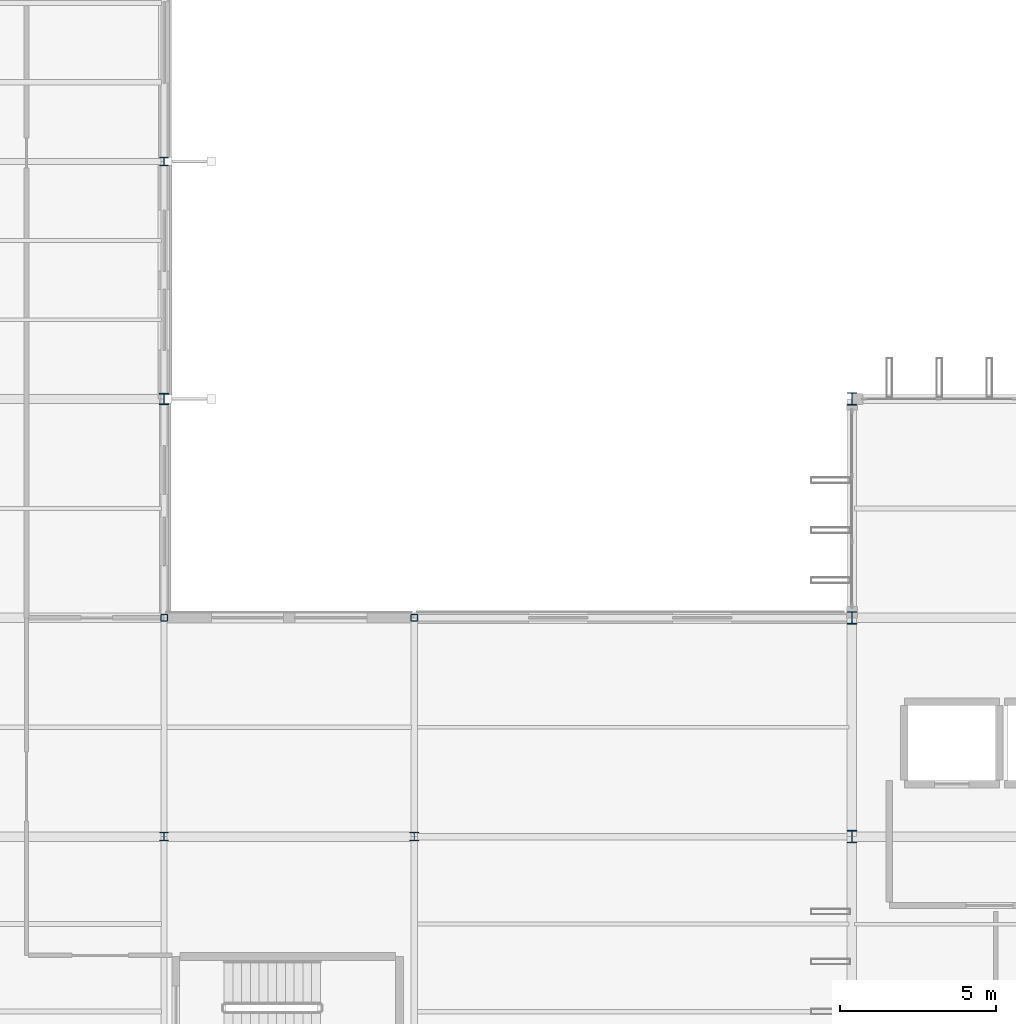
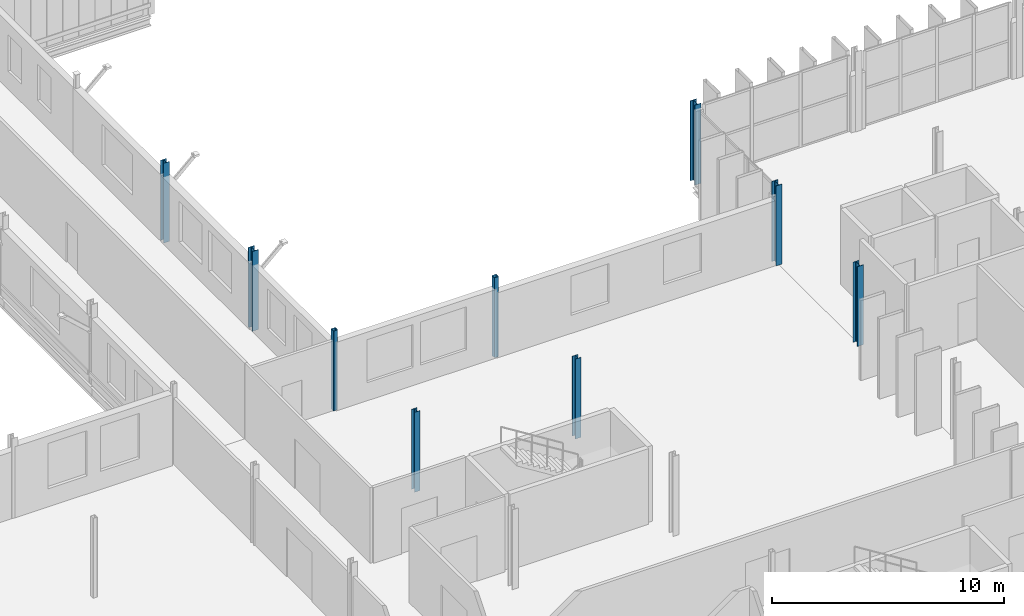
# One storey, part 4 of 101: 9 columns.
"""IFC4 building model written with IfcOpenShell, lengths in metres."""

from ifc_helpers import new_model, si_unit, direction, frame, origin, origin_2d, place, context, subcontext, project, spatial, hollow_rectangle, i_section, extrude, material, material_profile, profile_set, type_object, element, save


model = new_model("IFC4")

# Units and contexts
model_context = context("Model", 3, precision=1e-05, world=origin(), true_north=direction((0.0, 1.0)))
body_context = subcontext(model_context, "Body", "Model", "MODEL_VIEW")
ifc_project = project(units=[si_unit("LENGTHUNIT", "METRE"), si_unit("AREAUNIT", "SQUARE_METRE"), si_unit("VOLUMEUNIT", "CUBIC_METRE"), si_unit("PLANEANGLEUNIT", "RADIAN"), si_unit("MASSUNIT", "GRAM", prefix="KILO")], contexts=[model_context])

# Site, building, storey
site_placement = place(None, origin())
site = spatial("IfcSite", under=ifc_project, at=site_placement, CompositionType="ELEMENT")
building_placement = place(site_placement, origin())
building = spatial("IfcBuilding", under=site, at=building_placement, Name="Vekula Escarpment Museum", CompositionType="ELEMENT")
storey_placement = place(building_placement, frame((0.0, 0.0, 18.0)))
storey = spatial("IfcBuildingStorey", under=building, at=storey_placement, Name="L04", CompositionType="ELEMENT", Elevation=18.0)

# Columns
ifc_material_1 = material(Name="Steel S355", Category="steel")
ifc_material_profile_1 = material_profile(ifc_material_1, i_section(OverallWidth=0.280029296875, OverallDepth=0.27001953125, WebThickness=0.008056640625, FlangeThickness=0.012939453125, FilletRadius=0.02392578125, at=origin_2d()), Name="HEA 280")
ifc_profile_set_1 = profile_set([ifc_material_profile_1], Name="Steel S355")
column_type_1 = type_object("IfcColumnType", Name="COL-S-HEA280", PredefinedType="COLUMN", material=ifc_profile_set_1)
for number, where, z_axis, x_axis, name in (
    (1, (48.0, 76.39990234375, 0.0), (0.0, 0.0, 1.0), (1.0, 0.0, 0.0), "Column L04 (48.0,76.4)"),
    (2, (48.0, 98.0, 0.0), (0.0, 0.0, 1.0), (1.0, 0.0, 0.0), "Column L04 (48.0,98.0)"),
    (3, (56.0, 76.39990234375, 0.0), (0.0, 0.0, 1.0), (1.0, 0.0, 0.0), "Column L04 (56.0,76.4)"),
):
    element("IfcColumn", number, at=place(storey_placement, frame(where, z_axis=z_axis, x_axis=x_axis)), inside=storey, type_object=column_type_1, Name=name, PredefinedType="COLUMN", context=body_context, shape_type="SweptSolid", body=[
        extrude(i_section(OverallWidth=0.280029296875, OverallDepth=0.27001953125, WebThickness=0.008056640625, FlangeThickness=0.012939453125, FilletRadius=0.02392578125, at=origin_2d()), origin(), (0.0, 0.0, 1.0), 4.199951171875),
    ])
ifc_material_2 = material(Name="Steel S355", Category="steel")
ifc_material_profile_2 = material_profile(ifc_material_2, i_section(OverallWidth=0.300048828125, OverallDepth=0.360107421875, WebThickness=0.012451171875, FlangeThickness=0.0224609375, FilletRadius=0.027099609375, at=origin_2d()), Name="HEB 360")
ifc_profile_set_2 = profile_set([ifc_material_profile_2], Name="Steel S355")
column_type_2 = type_object("IfcColumnType", Name="COL-S-HEB360", PredefinedType="COLUMN", material=ifc_profile_set_2)
column_placement = place(storey_placement, frame((48.0, 90.39990234375, 0.0), z_axis=(0.0, 0.0, 1.0), x_axis=(1.0, 0.0, 0.0)))
element("IfcColumn", 4, at=column_placement, inside=storey, type_object=column_type_2, Name="Column L04 (48.0,90.4)", PredefinedType="COLUMN", context=body_context, shape_type="SweptSolid", body=[
    extrude(i_section(OverallWidth=0.300048828125, OverallDepth=0.360107421875, WebThickness=0.012451171875, FlangeThickness=0.0224609375, FilletRadius=0.027099609375, at=origin_2d()), origin(), (0.0, 0.0, 1.0), 4.199951171875),
])
ifc_material_3 = material(Name="Steel S355", Category="steel")
ifc_material_profile_3 = material_profile(ifc_material_3, i_section(OverallWidth=0.300048828125, OverallDepth=0.39990234375, WebThickness=0.013427734375, FlangeThickness=0.02392578125, FilletRadius=0.027099609375, at=origin_2d()), Name="HEB 400")
ifc_profile_set_3 = profile_set([ifc_material_profile_3], Name="Steel S355")
column_type_3 = type_object("IfcColumnType", Name="COL-S-HEB400", PredefinedType="COLUMN", material=ifc_profile_set_3)
for number, where, z_axis, x_axis, name in (
    (5, (70.0, 76.39990234375, 0.0), (0.0, 0.0, 1.0), (1.0, 0.0, 0.0), "Column L04 (70.0,76.4)"),
    (6, (70.0, 83.39990234375, 0.0), (0.0, 0.0, 1.0), (1.0, 0.0, 0.0), "Column L04 (70.0,83.4)"),
    (7, (70.0, 90.39990234375, 0.0), (0.0, 0.0, 1.0), (1.0, 0.0, 0.0), "Column L04 (70.0,90.4)"),
):
    element("IfcColumn", number, at=place(storey_placement, frame(where, z_axis=z_axis, x_axis=x_axis)), inside=storey, type_object=column_type_3, Name=name, PredefinedType="COLUMN", context=body_context, shape_type="SweptSolid", body=[
        extrude(i_section(OverallWidth=0.300048828125, OverallDepth=0.39990234375, WebThickness=0.013427734375, FlangeThickness=0.02392578125, FilletRadius=0.027099609375, at=origin_2d()), origin(), (0.0, 0.0, 1.0), 4.199951171875),
    ])
ifc_material_4 = material(Name="Steel S355", Category="steel")
ifc_material_profile_4 = material_profile(ifc_material_4, hollow_rectangle(XDim=0.219970703125, YDim=0.219970703125, WallThickness=0.011962890625, InnerFilletRadius=0.011962890625, OuterFilletRadius=0.02392578125, at=origin_2d()), Name="SHS 220x220x12")
ifc_profile_set_4 = profile_set([ifc_material_profile_4], Name="Steel S355")
column_type_4 = type_object("IfcColumnType", Name="COL-S-SHS220", PredefinedType="COLUMN", material=ifc_profile_set_4)
for number, where, z_axis, x_axis, name in (
    (8, (48.0, 83.39990234375, 0.0), (0.0, 0.0, 1.0), (1.0, 0.0, 0.0), "Column L04 (48.0,83.4)"),
    (9, (56.0, 83.39990234375, 0.0), (0.0, 0.0, 1.0), (1.0, 0.0, 0.0), "Column L04 (56.0,83.4)"),
):
    element("IfcColumn", number, at=place(storey_placement, frame(where, z_axis=z_axis, x_axis=x_axis)), inside=storey, type_object=column_type_4, Name=name, PredefinedType="COLUMN", context=body_context, shape_type="SweptSolid", body=[
        extrude(hollow_rectangle(XDim=0.219970703125, YDim=0.219970703125, WallThickness=0.011962890625, InnerFilletRadius=0.011962890625, OuterFilletRadius=0.02392578125, at=origin_2d()), origin(), (0.0, 0.0, 1.0), 4.199951171875),
    ])

save(model, "model.ifc")
